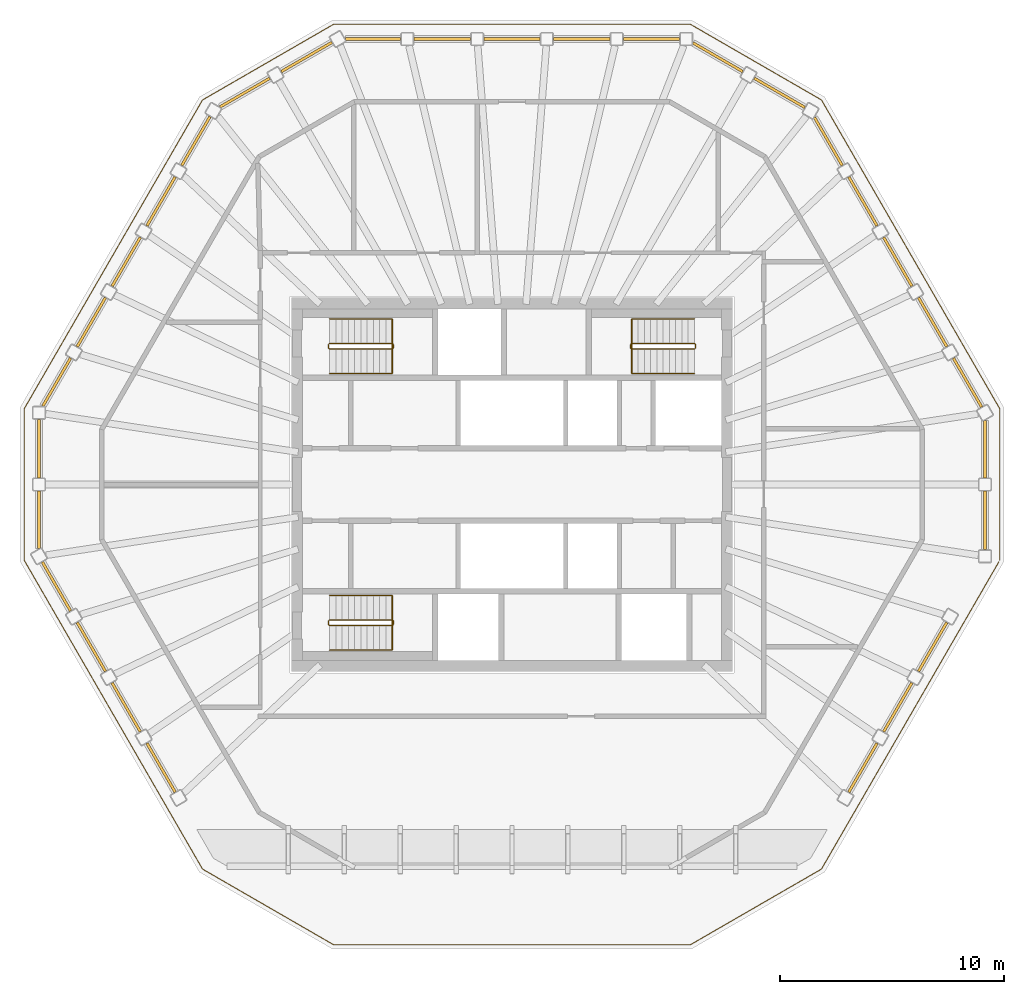
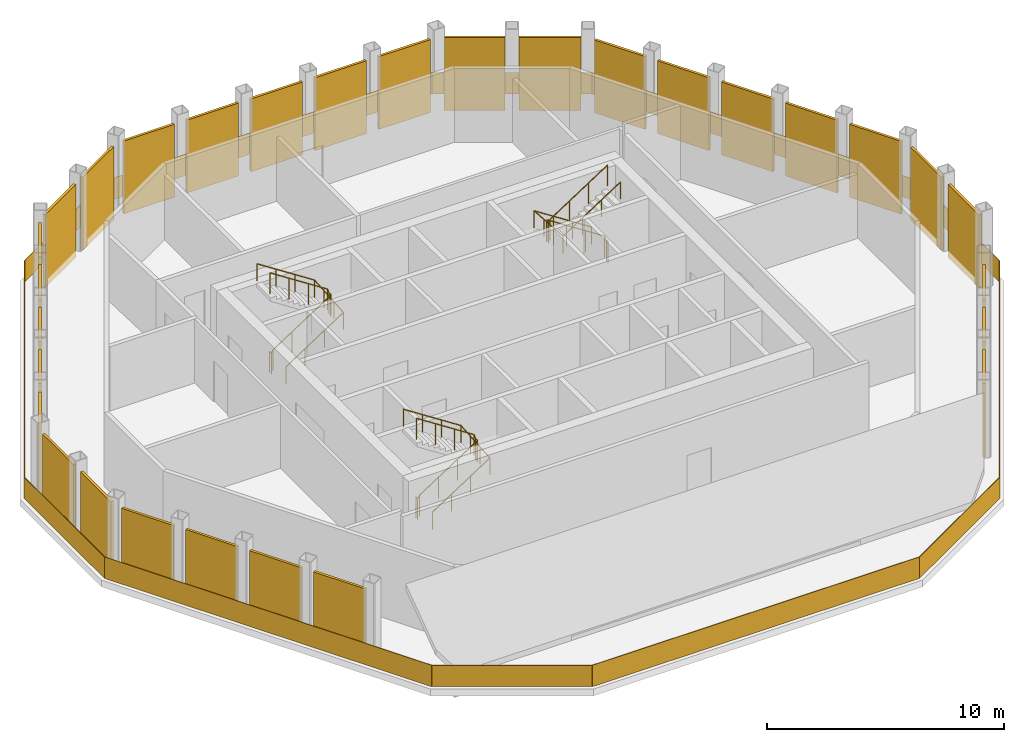
# One storey, part 5 of 5: 30 coverings, 7 railings.
"""IFC4 building model written with IfcOpenShell, lengths in metres."""

from ifc_helpers import new_model, si_unit, direction, frame, origin, origin_2d, place, context, subcontext, project, spatial, polyline, rectangle, circle, outline, extrude, material, layer, layer_set, type_object, element, save


model = new_model("IFC4")

# Units and contexts
model_context = context("Model", 3, precision=1e-05, world=origin(), true_north=direction((0.0, 1.0)))
body_context = subcontext(model_context, "Body", "Model", "MODEL_VIEW")
ifc_project = project(units=[si_unit("LENGTHUNIT", "METRE"), si_unit("AREAUNIT", "SQUARE_METRE"), si_unit("VOLUMEUNIT", "CUBIC_METRE"), si_unit("PLANEANGLEUNIT", "RADIAN"), si_unit("MASSUNIT", "GRAM", prefix="KILO")], contexts=[model_context])

# Site, building, storey
site_placement = place(None, origin())
site = spatial("IfcSite", under=ifc_project, at=site_placement, CompositionType="ELEMENT")
building_placement = place(site_placement, origin())
building = spatial("IfcBuilding", under=site, at=building_placement, Name="Frailejon Research Tower", CompositionType="ELEMENT")
storey_placement = place(building_placement, frame((0.0, 0.0, 344.60009765625)))
storey = spatial("IfcBuildingStorey", under=building, at=storey_placement, Name="L77", CompositionType="ELEMENT", Elevation=344.60009765625)

# Coverings
ifc_material_1 = material(Name="Anodised aluminium louvres", Category="aluminium")
ifc_layer = layer(ifc_material_1, 0.1201171875)
ifc_layer_set = layer_set([ifc_layer], Name="Crown louvre screen 120")
covering_type = type_object("IfcCoveringType", Name="Crown louvre screen 120", PredefinedType="CLADDING", material=ifc_layer_set)
covering_1_placement = place(storey_placement, frame((21.12744140625, -0.300048828125, -0.35009765625), z_axis=(0.0, -1.0, 0.0), x_axis=(1.0, 0.0, 0.0)))
element("IfcCovering", 1, at=covering_1_placement, inside=storey, type_object=covering_type, Name="Crown louvre screen L77", PredefinedType="CLADDING", context=body_context, shape_type="SweptSolid", body=[
    extrude(outline(polyline([(-0.06005859375, 0.0), (0.06005859375, 0.0), (0.06005859375, 3.75), (-0.06005859375, 3.75), (-0.06005859375, 0.0)])), origin(), (0.0, 0.0, 1.0), 2.606201171875),
])
covering_2_placement = place(storey_placement, frame((21.12744140625, 2.859619140625, -0.35009765625), z_axis=(0.0, -1.0, 0.0), x_axis=(1.0, 0.0, 0.0)))
element("IfcCovering", 2, at=covering_2_placement, inside=storey, type_object=covering_type, Name="Crown louvre screen L77", PredefinedType="CLADDING", context=body_context, shape_type="SweptSolid", body=[
    extrude(outline(polyline([(-0.06005859375, 0.0), (0.06005859375, 0.0), (0.06005859375, 3.75), (-0.06005859375, 3.75), (-0.06005859375, 0.0)])), origin(), (0.0, 0.0, 1.0), 2.559814453125),
])
for number, where, z_axis, x_axis, name in (
    (3, (19.72021484375, 5.643798828125, -0.35009765625), (0.499996674019, -0.866027324032, 0.0), (0.866027324032, 0.499996674019, 0.0), "Crown louvre screen L77"),
    (4, (18.16259765625, 8.34130859375, -0.35009765625), (0.500009278777, -0.866020046614, 0.0), (0.866020046614, 0.500009278777, 0.0), "Crown louvre screen L77"),
    (5, (16.605224609375, 11.0390625, -0.35009765625), (0.499979456235, -0.866037264408, 0.0), (0.866037264408, 0.499979456235, 0.0), "Crown louvre screen L77"),
    (6, (15.047607421875, 13.736572265625, -0.35009765625), (0.500009278777, -0.866020046614, 0.0), (0.866020046614, 0.500009278777, 0.0), "Crown louvre screen L77"),
):
    element("IfcCovering", number, at=place(storey_placement, frame(where, z_axis=z_axis, x_axis=x_axis)), inside=storey, type_object=covering_type, Name=name, PredefinedType="CLADDING", context=body_context, shape_type="SweptSolid", body=[
        extrude(outline(polyline([(-0.06005859375, 0.0), (0.06005859375, 0.0), (0.06005859375, 3.75), (-0.06005859375, 3.75), (-0.06005859375, 0.0)])), origin(), (0.0, 0.0, 1.0), 2.514892578125),
    ])
covering_3_placement = place(storey_placement, frame((13.513427734375, 16.393798828125, -0.35009765625), z_axis=(0.499999492034, -0.866025697059, 0.0), x_axis=(0.866025697059, 0.499999492034, 0.0)))
element("IfcCovering", 7, at=covering_3_placement, inside=storey, type_object=covering_type, Name="Crown louvre screen L77", PredefinedType="CLADDING", context=body_context, shape_type="SweptSolid", body=[
    extrude(outline(polyline([(-0.06005859375, 0.0), (0.06005859375, 0.0), (0.06005859375, 3.75), (-0.06005859375, 3.75), (-0.06005859375, 0.0)])), origin(), (0.0, 0.0, 1.0), 2.468505859375),
])
covering_4_placement = place(storey_placement, frame((10.823486328125, 18.14697265625, -0.35009765625), z_axis=(0.866012414126, -0.500022498073, 0.0), x_axis=(0.500022498073, 0.866012414126, 0.0)))
element("IfcCovering", 8, at=covering_4_placement, inside=storey, type_object=covering_type, Name="Crown louvre screen L77", PredefinedType="CLADDING", context=body_context, shape_type="SweptSolid", body=[
    extrude(outline(polyline([(-0.06005859375, 0.0), (0.06005859375, 0.0), (0.06005859375, 3.75), (-0.06005859375, 3.75), (-0.06005859375, 0.0)])), origin(), (0.0, 0.0, 1.0), 2.606201171875),
])
covering_5_placement = place(storey_placement, frame((8.087158203125, 19.726806640625, -0.35009765625), z_axis=(0.866037258145, -0.499979467084, 0.0), x_axis=(0.499979467084, 0.866037258145, 0.0)))
element("IfcCovering", 9, at=covering_5_placement, inside=storey, type_object=covering_type, Name="Crown louvre screen L77", PredefinedType="CLADDING", context=body_context, shape_type="SweptSolid", body=[
    extrude(outline(polyline([(-0.06005859375, 0.0), (0.06005859375, 0.0), (0.06005859375, 3.75), (-0.06005859375, 3.75), (-0.06005859375, 0.0)])), origin(), (0.0, 0.0, 1.0), 2.559814453125),
])
for number, where, z_axis, x_axis, name in (
    (10, (4.972412109375, 19.89990234375, -0.35009765625), (1.0, 0.0, 0.0), (0.0, 1.0, 0.0), "Crown louvre screen L77"),
    (11, (1.857421875, 19.89990234375, -0.35009765625), (1.0, 0.0, 0.0), (0.0, 1.0, 0.0), "Crown louvre screen L77"),
    (12, (-1.25732421875, 19.89990234375, -0.35009765625), (1.0, 0.0, 0.0), (0.0, 1.0, 0.0), "Crown louvre screen L77"),
    (13, (-4.372314453125, 19.89990234375, -0.35009765625), (1.0, 0.0, 0.0), (0.0, 1.0, 0.0), "Crown louvre screen L77"),
):
    element("IfcCovering", number, at=place(storey_placement, frame(where, z_axis=z_axis, x_axis=x_axis)), inside=storey, type_object=covering_type, Name=name, PredefinedType="CLADDING", context=body_context, shape_type="SweptSolid", body=[
        extrude(outline(polyline([(-0.06005859375, 0.0), (0.06005859375, 0.0), (0.06005859375, 3.75), (-0.06005859375, 3.75), (-0.06005859375, 0.0)])), origin(), (0.0, 0.0, 1.0), 2.514892578125),
    ])
covering_6_placement = place(storey_placement, frame((-7.44091796875, 19.89990234375, -0.35009765625), z_axis=(1.0, 0.0, 0.0), x_axis=(0.0, 1.0, 0.0)))
element("IfcCovering", 14, at=covering_6_placement, inside=storey, type_object=covering_type, Name="Crown louvre screen L77", PredefinedType="CLADDING", context=body_context, shape_type="SweptSolid", body=[
    extrude(outline(polyline([(-0.06005859375, 0.0), (0.06005859375, 0.0), (0.06005859375, 3.75), (-0.06005859375, 3.75), (-0.06005859375, 0.0)])), origin(), (0.0, 0.0, 1.0), 2.468505859375),
])
covering_7_placement = place(storey_placement, frame((-10.303955078125, 18.447021484375, -0.35009765625), z_axis=(0.866038622295, 0.49997710417, 0.0), x_axis=(-0.49997710417, 0.866038622295, 0.0)))
element("IfcCovering", 15, at=covering_7_placement, inside=storey, type_object=covering_type, Name="Crown louvre screen L77", PredefinedType="CLADDING", context=body_context, shape_type="SweptSolid", body=[
    extrude(outline(polyline([(-0.06005859375, 0.0), (0.06005859375, 0.0), (0.06005859375, 3.75), (-0.06005859375, 3.75), (-0.06005859375, 0.0)])), origin(), (0.0, 0.0, 1.0), 2.606201171875),
])
covering_8_placement = place(storey_placement, frame((-13.040283203125, 16.8671875, -0.35009765625), z_axis=(0.866010574459, 0.500025684265, 0.0), x_axis=(-0.500025684265, 0.866010574459, 0.0)))
element("IfcCovering", 16, at=covering_8_placement, inside=storey, type_object=covering_type, Name="Crown louvre screen L77", PredefinedType="CLADDING", context=body_context, shape_type="SweptSolid", body=[
    extrude(outline(polyline([(-0.06005859375, 0.0), (0.06005859375, 0.0), (0.06005859375, 3.75), (-0.06005859375, 3.75), (-0.06005859375, 0.0)])), origin(), (0.0, 0.0, 1.0), 2.559814453125),
])
for number, where, z_axis, x_axis, name in (
    (17, (-14.747802734375, 14.256103515625, -0.35009765625), (0.499996674019, 0.866027324032, 0.0), (-0.866027324032, 0.499996674019, 0.0), "Crown louvre screen L77"),
    (18, (-16.30517578125, 11.55859375, -0.35009765625), (0.500009278777, 0.866020046614, 0.0), (-0.866020046614, 0.500009278777, 0.0), "Crown louvre screen L77"),
    (19, (-17.862548828125, 8.861083984375, -0.35009765625), (0.499979456235, 0.866037264408, 0.0), (-0.866037264408, 0.499979456235, 0.0), "Crown louvre screen L77"),
    (20, (-19.420166015625, 6.163330078125, -0.35009765625), (0.500009278777, 0.866020046614, 0.0), (-0.866020046614, 0.500009278777, 0.0), "Crown louvre screen L77"),
):
    element("IfcCovering", number, at=place(storey_placement, frame(where, z_axis=z_axis, x_axis=x_axis)), inside=storey, type_object=covering_type, Name=name, PredefinedType="CLADDING", context=body_context, shape_type="SweptSolid", body=[
        extrude(outline(polyline([(-0.06005859375, 0.0), (0.06005859375, 0.0), (0.06005859375, 3.75), (-0.06005859375, 3.75), (-0.06005859375, 0.0)])), origin(), (0.0, 0.0, 1.0), 2.514892578125),
    ])
covering_9_placement = place(storey_placement, frame((-20.954345703125, 3.506103515625, -0.35009765625), z_axis=(0.499999492034, 0.866025697059, 0.0), x_axis=(-0.866025697059, 0.499999492034, 0.0)))
element("IfcCovering", 21, at=covering_9_placement, inside=storey, type_object=covering_type, Name="Crown louvre screen L77", PredefinedType="CLADDING", context=body_context, shape_type="SweptSolid", body=[
    extrude(outline(polyline([(-0.06005859375, 0.0), (0.06005859375, 0.0), (0.06005859375, 3.75), (-0.06005859375, 3.75), (-0.06005859375, 0.0)])), origin(), (0.0, 0.0, 1.0), 2.468505859375),
])
covering_10_placement = place(storey_placement, frame((-21.12744140625, 0.300048828125, -0.35009765625), z_axis=(0.0, 1.0, 0.0), x_axis=(-1.0, 0.0, 0.0)))
element("IfcCovering", 22, at=covering_10_placement, inside=storey, type_object=covering_type, Name="Crown louvre screen L77", PredefinedType="CLADDING", context=body_context, shape_type="SweptSolid", body=[
    extrude(outline(polyline([(-0.06005859375, 0.0), (0.06005859375, 0.0), (0.06005859375, 3.75), (-0.06005859375, 3.75), (-0.06005859375, 0.0)])), origin(), (0.0, 0.0, 1.0), 2.606201171875),
])
covering_11_placement = place(storey_placement, frame((-21.12744140625, -2.859619140625, -0.35009765625), z_axis=(0.0, 1.0, 0.0), x_axis=(-1.0, 0.0, 0.0)))
element("IfcCovering", 23, at=covering_11_placement, inside=storey, type_object=covering_type, Name="Crown louvre screen L77", PredefinedType="CLADDING", context=body_context, shape_type="SweptSolid", body=[
    extrude(outline(polyline([(-0.06005859375, 0.0), (0.06005859375, 0.0), (0.06005859375, 3.75), (-0.06005859375, 3.75), (-0.06005859375, 0.0)])), origin(), (0.0, 0.0, 1.0), 2.559814453125),
])
for number, where, z_axis, x_axis, name in (
    (24, (-19.72021484375, -5.643798828125, -0.35009765625), (-0.499996674019, 0.866027324032, 0.0), (-0.866027324032, -0.499996674019, 0.0), "Crown louvre screen L77"),
    (25, (-18.16259765625, -8.34130859375, -0.35009765625), (-0.500009278777, 0.866020046614, 0.0), (-0.866020046614, -0.500009278777, 0.0), "Crown louvre screen L77"),
    (26, (-16.605224609375, -11.0390625, -0.35009765625), (-0.499979456235, 0.866037264408, 0.0), (-0.866037264408, -0.499979456235, 0.0), "Crown louvre screen L77"),
    (27, (-15.047607421875, -13.736572265625, -0.35009765625), (-0.500009278777, 0.866020046614, 0.0), (-0.866020046614, -0.500009278777, 0.0), "Crown louvre screen L77"),
    (28, (16.30517578125, -11.55859375, -0.35009765625), (-0.500009278777, -0.866020046614, 0.0), (0.866020046614, -0.500009278777, 0.0), "Crown louvre screen L77"),
    (29, (17.862548828125, -8.861083984375, -0.35009765625), (-0.499979456235, -0.866037264408, 0.0), (0.866037264408, -0.499979456235, 0.0), "Crown louvre screen L77"),
    (30, (19.420166015625, -6.163330078125, -0.35009765625), (-0.500009278777, -0.866020046614, 0.0), (0.866020046614, -0.500009278777, 0.0), "Crown louvre screen L77"),
):
    element("IfcCovering", number, at=place(storey_placement, frame(where, z_axis=z_axis, x_axis=x_axis)), inside=storey, type_object=covering_type, Name=name, PredefinedType="CLADDING", context=body_context, shape_type="SweptSolid", body=[
        extrude(outline(polyline([(-0.06005859375, 0.0), (0.06005859375, 0.0), (0.06005859375, 3.75), (-0.06005859375, 3.75), (-0.06005859375, 0.0)])), origin(), (0.0, 0.0, 1.0), 2.514892578125),
    ])

# Railings
ifc_material_2 = material(Name="Laminated glass balustrade", Category="glass")
railing_type_1 = type_object("IfcRailingType", Name="Glass guard 1100", PredefinedType="GUARDRAIL", material=ifc_material_2)
railing_1_placement = place(storey_placement, frame((21.78857421875, -3.38330078125, 0.0)))
element("IfcRailing", 31, at=railing_1_placement, inside=storey, type_object=railing_type_1, Name="Plant gallery guard L77", PredefinedType="GUARDRAIL", context=body_context, shape_type="SweptSolid", body=[
    extrude(rectangle(XDim=6.7666015625, YDim=0.030029296875, at=origin_2d()), frame((0.0, 3.38330078125, 0.0), z_axis=(0.0, 0.0, 1.0), x_axis=(0.0, 1.0, 0.0)), (0.0, 0.0, 1.0), 1.10009765625),
    extrude(rectangle(XDim=15.9287109375, YDim=0.030029296875, at=origin_2d()), frame((-3.982177734375, 13.6640625, 0.0), z_axis=(0.0, 0.0, 1.0), x_axis=(-0.499999744114, 0.86602555152, 0.0)), (0.0, 0.0, 1.0), 1.10009765625),
    extrude(rectangle(XDim=6.766357421875, YDim=0.030029296875, at=origin_2d()), frame((-10.894287109375, 22.2529296875, 0.0), z_axis=(0.0, 0.0, 1.0), x_axis=(-0.866034171151, 0.499984814167, 0.0)), (0.0, 0.0, 1.0), 1.10009765625),
    extrude(rectangle(XDim=15.9287109375, YDim=0.030029296875, at=origin_2d()), frame((-21.78857421875, 23.9443359375, 0.0), z_axis=(0.0, 0.0, 1.0), x_axis=(-1.0, 0.0, 0.0)), (0.0, 0.0, 1.0), 1.10009765625),
    extrude(rectangle(XDim=6.766357421875, YDim=0.030029296875, at=origin_2d()), frame((-32.682861328125, 22.2529296875, 0.0), z_axis=(0.0, 0.0, 1.0), x_axis=(-0.866034171151, -0.499984814167, 0.0)), (0.0, 0.0, 1.0), 1.10009765625),
    extrude(rectangle(XDim=15.9287109375, YDim=0.030029296875, at=origin_2d()), frame((-39.594970703125, 13.6640625, 0.0), z_axis=(0.0, 0.0, 1.0), x_axis=(-0.499999744114, -0.86602555152, 0.0)), (0.0, 0.0, 1.0), 1.10009765625),
    extrude(rectangle(XDim=6.7666015625, YDim=0.030029296875, at=origin_2d()), frame((-43.5771484375, 3.38330078125, 0.0), z_axis=(0.0, 0.0, 1.0), x_axis=(0.0, -1.0, 0.0)), (0.0, 0.0, 1.0), 1.10009765625),
    extrude(rectangle(XDim=15.9287109375, YDim=0.030029296875, at=origin_2d()), frame((-39.594970703125, -6.8974609375, 0.0), z_axis=(0.0, 0.0, 1.0), x_axis=(0.499999744114, -0.86602555152, 0.0)), (0.0, 0.0, 1.0), 1.10009765625),
    extrude(rectangle(XDim=6.766357421875, YDim=0.030029296875, at=origin_2d()), frame((-32.682861328125, -15.486328125, 0.0), z_axis=(0.0, 0.0, 1.0), x_axis=(0.866034171151, -0.499984814167, 0.0)), (0.0, 0.0, 1.0), 1.10009765625),
    extrude(rectangle(XDim=15.9287109375, YDim=0.030029296875, at=origin_2d()), frame((-21.78857421875, -17.177734375, 0.0), z_axis=(0.0, 0.0, 1.0), x_axis=(1.0, 0.0, 0.0)), (0.0, 0.0, 1.0), 1.10009765625),
    extrude(rectangle(XDim=6.766357421875, YDim=0.030029296875, at=origin_2d()), frame((-10.894287109375, -15.486328125, 0.0), z_axis=(0.0, 0.0, 1.0), x_axis=(0.866034171151, 0.499984814167, 0.0)), (0.0, 0.0, 1.0), 1.10009765625),
    extrude(rectangle(XDim=15.85888671875, YDim=0.030029296875, at=origin_2d()), frame((-3.99951171875, -6.927734375, 0.0), z_axis=(0.0, 0.0, 1.0), x_axis=(0.500001854359, 0.866024333167, 0.0)), (0.0, 0.0, 1.0), 1.10009765625),
])
ifc_material_3 = material(Name="Stainless steel", Category="steel")
railing_type_2 = type_object("IfcRailingType", Name="Stair guard 1100", PredefinedType="GUARDRAIL", material=ifc_material_3)
railing_2_placement = place(storey_placement, frame((-8.199951171875, 6.25, 0.0)))
element("IfcRailing", 32, at=railing_2_placement, inside=storey, type_object=railing_type_2, Name="L77 ST1 stair guard 1", PredefinedType="GUARDRAIL", context=body_context, shape_type="SweptSolid", body=[
    extrude(circle(Radius=0.02392578125, at=origin_2d()), frame((0.0, 0.0, 1.076171875), z_axis=(0.0, -1.0, 0.0), x_axis=(1.0, 0.0, 0.0)), (0.0, 0.0, 1.0), 0.14990234375),
    extrude(circle(Radius=0.02392578125, at=origin_2d()), frame((0.0, -0.14990234375, 1.076171875), z_axis=(0.256734642926, -0.256734642926, 0.931758899203), x_axis=(0.707106781187, 0.707106781187, 0.0)), (0.0, 0.0, 1.0), 0.19482421875),
    extrude(circle(Radius=0.02392578125, at=origin_2d()), frame((0.050048828125, -0.199951171875, 1.2578125), z_axis=(0.838650734948, 0.0, 0.544669573936), x_axis=(0.0, 1.0, 0.0)), (0.0, 0.0, 1.0), 3.33837890625),
    extrude(circle(Radius=0.02392578125, at=origin_2d()), frame((2.849853515625, -0.199951171875, 3.076171875), z_axis=(0.707106781187, 0.707106781187, 0.0), x_axis=(-0.707106781187, 0.707106781187, 0.0)), (0.0, 0.0, 1.0), 0.07080078125),
    extrude(circle(Radius=0.02392578125, at=origin_2d()), frame((2.89990234375, -0.14990234375, 3.076171875), z_axis=(0.0, 1.0, 0.0), x_axis=(-1.0, 0.0, 0.0)), (0.0, 0.0, 1.0), 0.14990234375),
    extrude(circle(Radius=0.02392578125, at=origin_2d()), frame((2.89990234375, 0.0, 3.076171875), z_axis=(-0.256734642926, 0.256734642926, 0.931758899203), x_axis=(-0.707106781187, -0.707106781187, 0.0)), (0.0, 0.0, 1.0), 0.19482421875),
    extrude(circle(Radius=0.02392578125, at=origin_2d()), frame((2.849853515625, 0.050048828125, 3.2578125), z_axis=(-0.838650734948, 0.0, 0.544669573936), x_axis=(0.0, -1.0, 0.0)), (0.0, 0.0, 1.0), 3.33837890625),
    extrude(circle(Radius=0.02099609375, at=origin_2d()), origin(), (0.0, 0.0, 1.0), 1.052001953125),
    extrude(circle(Radius=0.02099609375, at=origin_2d()), frame((0.0, -0.14990234375, 0.0)), (0.0, 0.0, 1.0), 1.052001953125),
    extrude(circle(Radius=0.02099609375, at=origin_2d()), frame((0.050048828125, -0.199951171875, 0.181640625)), (0.0, 0.0, 1.0), 1.052001953125),
    extrude(circle(Radius=0.02099609375, at=origin_2d()), frame((0.9833984375, -0.199951171875, 0.787841796875)), (0.0, 0.0, 1.0), 1.052001953125),
    extrude(circle(Radius=0.02099609375, at=origin_2d()), frame((1.91650390625, -0.199951171875, 1.393798828125)), (0.0, 0.0, 1.0), 1.052001953125),
    extrude(circle(Radius=0.02099609375, at=origin_2d()), frame((2.849853515625, -0.199951171875, 2.0)), (0.0, 0.0, 1.0), 1.052001953125),
    extrude(circle(Radius=0.02099609375, at=origin_2d()), frame((2.89990234375, -0.14990234375, 2.0)), (0.0, 0.0, 1.0), 1.052001953125),
    extrude(circle(Radius=0.02099609375, at=origin_2d()), frame((2.89990234375, 0.0, 2.0)), (0.0, 0.0, 1.0), 1.052001953125),
    extrude(circle(Radius=0.02099609375, at=origin_2d()), frame((2.849853515625, 0.050048828125, 2.181640625)), (0.0, 0.0, 1.0), 1.052001953125),
    extrude(circle(Radius=0.02099609375, at=origin_2d()), frame((1.91650390625, 0.050048828125, 2.787841796875)), (0.0, 0.0, 1.0), 1.052001953125),
    extrude(circle(Radius=0.02099609375, at=origin_2d()), frame((0.9833984375, 0.050048828125, 3.393798828125)), (0.0, 0.0, 1.0), 1.052001953125),
    extrude(circle(Radius=0.02099609375, at=origin_2d()), frame((0.050048828125, 0.050048828125, 4.0)), (0.0, 0.0, 1.0), 1.052001953125),
])
railing_3_placement = place(storey_placement, frame((-8.199951171875, -6.10009765625, 0.0)))
element("IfcRailing", 33, at=railing_3_placement, inside=storey, type_object=railing_type_2, Name="L77 ST2 stair guard 1", PredefinedType="GUARDRAIL", context=body_context, shape_type="SweptSolid", body=[
    extrude(circle(Radius=0.02392578125, at=origin_2d()), frame((0.0, 0.0, 1.076171875), z_axis=(0.0, -1.0, 0.0), x_axis=(1.0, 0.0, 0.0)), (0.0, 0.0, 1.0), 0.14990234375),
    extrude(circle(Radius=0.02392578125, at=origin_2d()), frame((0.0, -0.14990234375, 1.076171875), z_axis=(0.256734642926, -0.256734642926, 0.931758899203), x_axis=(0.707106781187, 0.707106781187, 0.0)), (0.0, 0.0, 1.0), 0.19482421875),
    extrude(circle(Radius=0.02392578125, at=origin_2d()), frame((0.050048828125, -0.199951171875, 1.2578125), z_axis=(0.838650734948, 0.0, 0.544669573936), x_axis=(0.0, 1.0, 0.0)), (0.0, 0.0, 1.0), 3.33837890625),
    extrude(circle(Radius=0.02392578125, at=origin_2d()), frame((2.849853515625, -0.199951171875, 3.076171875), z_axis=(0.707106781187, 0.707106781187, 0.0), x_axis=(-0.707106781187, 0.707106781187, 0.0)), (0.0, 0.0, 1.0), 0.07080078125),
    extrude(circle(Radius=0.02392578125, at=origin_2d()), frame((2.89990234375, -0.14990234375, 3.076171875), z_axis=(0.0, 1.0, 0.0), x_axis=(-1.0, 0.0, 0.0)), (0.0, 0.0, 1.0), 0.14990234375),
    extrude(circle(Radius=0.02392578125, at=origin_2d()), frame((2.89990234375, 0.0, 3.076171875), z_axis=(-0.256734642926, 0.256734642926, 0.931758899203), x_axis=(-0.707106781187, -0.707106781187, 0.0)), (0.0, 0.0, 1.0), 0.19482421875),
    extrude(circle(Radius=0.02392578125, at=origin_2d()), frame((2.849853515625, 0.050048828125, 3.2578125), z_axis=(-0.838650734948, 0.0, 0.544669573936), x_axis=(0.0, -1.0, 0.0)), (0.0, 0.0, 1.0), 3.33837890625),
    extrude(circle(Radius=0.02099609375, at=origin_2d()), origin(), (0.0, 0.0, 1.0), 1.052001953125),
    extrude(circle(Radius=0.02099609375, at=origin_2d()), frame((0.0, -0.14990234375, 0.0)), (0.0, 0.0, 1.0), 1.052001953125),
    extrude(circle(Radius=0.02099609375, at=origin_2d()), frame((0.050048828125, -0.199951171875, 0.181640625)), (0.0, 0.0, 1.0), 1.052001953125),
    extrude(circle(Radius=0.02099609375, at=origin_2d()), frame((0.9833984375, -0.199951171875, 0.787841796875)), (0.0, 0.0, 1.0), 1.052001953125),
    extrude(circle(Radius=0.02099609375, at=origin_2d()), frame((1.91650390625, -0.199951171875, 1.393798828125)), (0.0, 0.0, 1.0), 1.052001953125),
    extrude(circle(Radius=0.02099609375, at=origin_2d()), frame((2.849853515625, -0.199951171875, 2.0)), (0.0, 0.0, 1.0), 1.052001953125),
    extrude(circle(Radius=0.02099609375, at=origin_2d()), frame((2.89990234375, -0.14990234375, 2.0)), (0.0, 0.0, 1.0), 1.052001953125),
    extrude(circle(Radius=0.02099609375, at=origin_2d()), frame((2.89990234375, 0.0, 2.0)), (0.0, 0.0, 1.0), 1.052001953125),
    extrude(circle(Radius=0.02099609375, at=origin_2d()), frame((2.849853515625, 0.050048828125, 2.181640625)), (0.0, 0.0, 1.0), 1.052001953125),
    extrude(circle(Radius=0.02099609375, at=origin_2d()), frame((1.91650390625, 0.050048828125, 2.787841796875)), (0.0, 0.0, 1.0), 1.052001953125),
    extrude(circle(Radius=0.02099609375, at=origin_2d()), frame((0.9833984375, 0.050048828125, 3.393798828125)), (0.0, 0.0, 1.0), 1.052001953125),
    extrude(circle(Radius=0.02099609375, at=origin_2d()), frame((0.050048828125, 0.050048828125, 4.0)), (0.0, 0.0, 1.0), 1.052001953125),
])
railing_4_placement = place(storey_placement, frame((8.199951171875, 6.10009765625, 0.0)))
element("IfcRailing", 34, at=railing_4_placement, inside=storey, type_object=railing_type_2, Name="L77 ST3 stair guard 1", PredefinedType="GUARDRAIL", context=body_context, shape_type="SweptSolid", body=[
    extrude(circle(Radius=0.02392578125, at=origin_2d()), frame((0.0, 0.0, 1.076171875), z_axis=(0.0, 1.0, 0.0), x_axis=(-1.0, 0.0, 0.0)), (0.0, 0.0, 1.0), 0.14990234375),
    extrude(circle(Radius=0.02392578125, at=origin_2d()), frame((0.0, 0.14990234375, 1.076171875), z_axis=(-0.256734642926, 0.256734642926, 0.931758899203), x_axis=(-0.707106781187, -0.707106781187, 0.0)), (0.0, 0.0, 1.0), 0.19482421875),
    extrude(circle(Radius=0.02392578125, at=origin_2d()), frame((-0.050048828125, 0.199951171875, 1.2578125), z_axis=(-0.838650734948, 0.0, 0.544669573936), x_axis=(0.0, -1.0, 0.0)), (0.0, 0.0, 1.0), 3.33837890625),
    extrude(circle(Radius=0.02392578125, at=origin_2d()), frame((-2.849853515625, 0.199951171875, 3.076171875), z_axis=(-0.707106781187, -0.707106781187, 0.0), x_axis=(0.707106781187, -0.707106781187, 0.0)), (0.0, 0.0, 1.0), 0.07080078125),
    extrude(circle(Radius=0.02392578125, at=origin_2d()), frame((-2.89990234375, 0.14990234375, 3.076171875), z_axis=(0.0, -1.0, 0.0), x_axis=(1.0, 0.0, 0.0)), (0.0, 0.0, 1.0), 0.14990234375),
    extrude(circle(Radius=0.02392578125, at=origin_2d()), frame((-2.89990234375, 0.0, 3.076171875), z_axis=(0.256734642926, -0.256734642926, 0.931758899203), x_axis=(0.707106781187, 0.707106781187, 0.0)), (0.0, 0.0, 1.0), 0.19482421875),
    extrude(circle(Radius=0.02392578125, at=origin_2d()), frame((-2.849853515625, -0.050048828125, 3.2578125), z_axis=(0.838650734948, 0.0, 0.544669573936), x_axis=(0.0, 1.0, 0.0)), (0.0, 0.0, 1.0), 3.33837890625),
    extrude(circle(Radius=0.02099609375, at=origin_2d()), origin(), (0.0, 0.0, 1.0), 1.052001953125),
    extrude(circle(Radius=0.02099609375, at=origin_2d()), frame((0.0, 0.14990234375, 0.0)), (0.0, 0.0, 1.0), 1.052001953125),
    extrude(circle(Radius=0.02099609375, at=origin_2d()), frame((-0.050048828125, 0.199951171875, 0.181640625)), (0.0, 0.0, 1.0), 1.052001953125),
    extrude(circle(Radius=0.02099609375, at=origin_2d()), frame((-0.9833984375, 0.199951171875, 0.787841796875)), (0.0, 0.0, 1.0), 1.052001953125),
    extrude(circle(Radius=0.02099609375, at=origin_2d()), frame((-1.91650390625, 0.199951171875, 1.393798828125)), (0.0, 0.0, 1.0), 1.052001953125),
    extrude(circle(Radius=0.02099609375, at=origin_2d()), frame((-2.849853515625, 0.199951171875, 2.0)), (0.0, 0.0, 1.0), 1.052001953125),
    extrude(circle(Radius=0.02099609375, at=origin_2d()), frame((-2.89990234375, 0.14990234375, 2.0)), (0.0, 0.0, 1.0), 1.052001953125),
    extrude(circle(Radius=0.02099609375, at=origin_2d()), frame((-2.89990234375, 0.0, 2.0)), (0.0, 0.0, 1.0), 1.052001953125),
    extrude(circle(Radius=0.02099609375, at=origin_2d()), frame((-2.849853515625, -0.050048828125, 2.181640625)), (0.0, 0.0, 1.0), 1.052001953125),
    extrude(circle(Radius=0.02099609375, at=origin_2d()), frame((-1.91650390625, -0.050048828125, 2.787841796875)), (0.0, 0.0, 1.0), 1.052001953125),
    extrude(circle(Radius=0.02099609375, at=origin_2d()), frame((-0.9833984375, -0.050048828125, 3.393798828125)), (0.0, 0.0, 1.0), 1.052001953125),
    extrude(circle(Radius=0.02099609375, at=origin_2d()), frame((-0.050048828125, -0.050048828125, 4.0)), (0.0, 0.0, 1.0), 1.052001953125),
])
ifc_material_4 = material(Name="Stainless steel", Category="steel")
railing_type_3 = type_object("IfcRailingType", Name="Stair handrail 900", PredefinedType="HANDRAIL", material=ifc_material_4)
railing_5_placement = place(storey_placement, frame((-8.14990234375, 4.949951171875, 0.181640625)))
element("IfcRailing", 35, at=railing_5_placement, inside=storey, type_object=railing_type_3, Name="L77 ST1 stair handrail 1", PredefinedType="HANDRAIL", context=body_context, shape_type="SweptSolid", body=[
    extrude(circle(Radius=0.02392578125, at=origin_2d()), frame((0.0, 0.0, 0.8759765625), z_axis=(0.838650734948, 0.0, 0.544669573936), x_axis=(0.0, 1.0, 0.0)), (0.0, 0.0, 1.0), 3.33837890625),
    extrude(circle(Radius=0.02392578125, at=origin_2d()), frame((2.7998046875, 0.0, 2.6943359375), z_axis=(0.0, 0.997262871482, 0.073937576122), x_axis=(-1.0, 0.0, 0.0)), (0.0, 0.0, 1.0), 2.456787109375),
    extrude(circle(Radius=0.02392578125, at=origin_2d()), frame((2.7998046875, 2.449951171875, 2.8759765625), z_axis=(-0.838650734948, 0.0, 0.544669573936), x_axis=(0.0, -1.0, 0.0)), (0.0, 0.0, 1.0), 3.33837890625),
    extrude(circle(Radius=0.02099609375, at=origin_2d()), origin(), (0.0, 0.0, 1.0), 0.851806640625),
    extrude(circle(Radius=0.02099609375, at=origin_2d()), frame((0.933349609375, 0.0, 0.606201171875)), (0.0, 0.0, 1.0), 0.851806640625),
    extrude(circle(Radius=0.02099609375, at=origin_2d()), frame((1.866455078125, 0.0, 1.212158203125)), (0.0, 0.0, 1.0), 0.851806640625),
    extrude(circle(Radius=0.02099609375, at=origin_2d()), frame((2.7998046875, 0.0, 1.818359375)), (0.0, 0.0, 1.0), 0.851806640625),
    extrude(circle(Radius=0.02099609375, at=origin_2d()), frame((2.7998046875, 0.816650390625, 1.87890625)), (0.0, 0.0, 1.0), 0.851806640625),
    extrude(circle(Radius=0.02099609375, at=origin_2d()), frame((2.7998046875, 1.63330078125, 1.939453125)), (0.0, 0.0, 1.0), 0.851806640625),
    extrude(circle(Radius=0.02099609375, at=origin_2d()), frame((2.7998046875, 2.449951171875, 2.0)), (0.0, 0.0, 1.0), 0.851806640625),
    extrude(circle(Radius=0.02099609375, at=origin_2d()), frame((1.866455078125, 2.449951171875, 2.606201171875)), (0.0, 0.0, 1.0), 0.851806640625),
    extrude(circle(Radius=0.02099609375, at=origin_2d()), frame((0.933349609375, 2.449951171875, 3.212158203125)), (0.0, 0.0, 1.0), 0.851806640625),
    extrude(circle(Radius=0.02099609375, at=origin_2d()), frame((0.0, 2.449951171875, 3.818359375)), (0.0, 0.0, 1.0), 0.851806640625),
])
railing_6_placement = place(storey_placement, frame((-8.14990234375, -7.39990234375, 0.181640625)))
element("IfcRailing", 36, at=railing_6_placement, inside=storey, type_object=railing_type_3, Name="L77 ST2 stair handrail 1", PredefinedType="HANDRAIL", context=body_context, shape_type="SweptSolid", body=[
    extrude(circle(Radius=0.02392578125, at=origin_2d()), frame((0.0, 0.0, 0.8759765625), z_axis=(0.838650734948, 0.0, 0.544669573936), x_axis=(0.0, 1.0, 0.0)), (0.0, 0.0, 1.0), 3.33837890625),
    extrude(circle(Radius=0.02392578125, at=origin_2d()), frame((2.7998046875, 0.0, 2.6943359375), z_axis=(0.0, 0.997262871482, 0.073937576122), x_axis=(-1.0, 0.0, 0.0)), (0.0, 0.0, 1.0), 2.456787109375),
    extrude(circle(Radius=0.02392578125, at=origin_2d()), frame((2.7998046875, 2.449951171875, 2.8759765625), z_axis=(-0.838650734948, 0.0, 0.544669573936), x_axis=(0.0, -1.0, 0.0)), (0.0, 0.0, 1.0), 3.33837890625),
    extrude(circle(Radius=0.02099609375, at=origin_2d()), origin(), (0.0, 0.0, 1.0), 0.851806640625),
    extrude(circle(Radius=0.02099609375, at=origin_2d()), frame((0.933349609375, 0.0, 0.606201171875)), (0.0, 0.0, 1.0), 0.851806640625),
    extrude(circle(Radius=0.02099609375, at=origin_2d()), frame((1.866455078125, 0.0, 1.212158203125)), (0.0, 0.0, 1.0), 0.851806640625),
    extrude(circle(Radius=0.02099609375, at=origin_2d()), frame((2.7998046875, 0.0, 1.818359375)), (0.0, 0.0, 1.0), 0.851806640625),
    extrude(circle(Radius=0.02099609375, at=origin_2d()), frame((2.7998046875, 0.816650390625, 1.87890625)), (0.0, 0.0, 1.0), 0.851806640625),
    extrude(circle(Radius=0.02099609375, at=origin_2d()), frame((2.7998046875, 1.63330078125, 1.939453125)), (0.0, 0.0, 1.0), 0.851806640625),
    extrude(circle(Radius=0.02099609375, at=origin_2d()), frame((2.7998046875, 2.449951171875, 2.0)), (0.0, 0.0, 1.0), 0.851806640625),
    extrude(circle(Radius=0.02099609375, at=origin_2d()), frame((1.866455078125, 2.449951171875, 2.606201171875)), (0.0, 0.0, 1.0), 0.851806640625),
    extrude(circle(Radius=0.02099609375, at=origin_2d()), frame((0.933349609375, 2.449951171875, 3.212158203125)), (0.0, 0.0, 1.0), 0.851806640625),
    extrude(circle(Radius=0.02099609375, at=origin_2d()), frame((0.0, 2.449951171875, 3.818359375)), (0.0, 0.0, 1.0), 0.851806640625),
])
railing_7_placement = place(storey_placement, frame((8.14990234375, 7.39990234375, 0.181640625)))
element("IfcRailing", 37, at=railing_7_placement, inside=storey, type_object=railing_type_3, Name="L77 ST3 stair handrail 1", PredefinedType="HANDRAIL", context=body_context, shape_type="SweptSolid", body=[
    extrude(circle(Radius=0.02392578125, at=origin_2d()), frame((0.0, 0.0, 0.8759765625), z_axis=(-0.838650734948, 0.0, 0.544669573936), x_axis=(0.0, -1.0, 0.0)), (0.0, 0.0, 1.0), 3.33837890625),
    extrude(circle(Radius=0.02392578125, at=origin_2d()), frame((-2.7998046875, 0.0, 2.6943359375), z_axis=(0.0, -0.997262871482, 0.073937576122), x_axis=(1.0, 0.0, 0.0)), (0.0, 0.0, 1.0), 2.456787109375),
    extrude(circle(Radius=0.02392578125, at=origin_2d()), frame((-2.7998046875, -2.449951171875, 2.8759765625), z_axis=(0.838650734948, 0.0, 0.544669573936), x_axis=(0.0, 1.0, 0.0)), (0.0, 0.0, 1.0), 3.33837890625),
    extrude(circle(Radius=0.02099609375, at=origin_2d()), origin(), (0.0, 0.0, 1.0), 0.851806640625),
    extrude(circle(Radius=0.02099609375, at=origin_2d()), frame((-0.933349609375, 0.0, 0.606201171875)), (0.0, 0.0, 1.0), 0.851806640625),
    extrude(circle(Radius=0.02099609375, at=origin_2d()), frame((-1.866455078125, 0.0, 1.212158203125)), (0.0, 0.0, 1.0), 0.851806640625),
    extrude(circle(Radius=0.02099609375, at=origin_2d()), frame((-2.7998046875, 0.0, 1.818359375)), (0.0, 0.0, 1.0), 0.851806640625),
    extrude(circle(Radius=0.02099609375, at=origin_2d()), frame((-2.7998046875, -0.816650390625, 1.87890625)), (0.0, 0.0, 1.0), 0.851806640625),
    extrude(circle(Radius=0.02099609375, at=origin_2d()), frame((-2.7998046875, -1.63330078125, 1.939453125)), (0.0, 0.0, 1.0), 0.851806640625),
    extrude(circle(Radius=0.02099609375, at=origin_2d()), frame((-2.7998046875, -2.449951171875, 2.0)), (0.0, 0.0, 1.0), 0.851806640625),
    extrude(circle(Radius=0.02099609375, at=origin_2d()), frame((-1.866455078125, -2.449951171875, 2.606201171875)), (0.0, 0.0, 1.0), 0.851806640625),
    extrude(circle(Radius=0.02099609375, at=origin_2d()), frame((-0.933349609375, -2.449951171875, 3.212158203125)), (0.0, 0.0, 1.0), 0.851806640625),
    extrude(circle(Radius=0.02099609375, at=origin_2d()), frame((0.0, -2.449951171875, 3.818359375)), (0.0, 0.0, 1.0), 0.851806640625),
])

save(model, "model.ifc")
